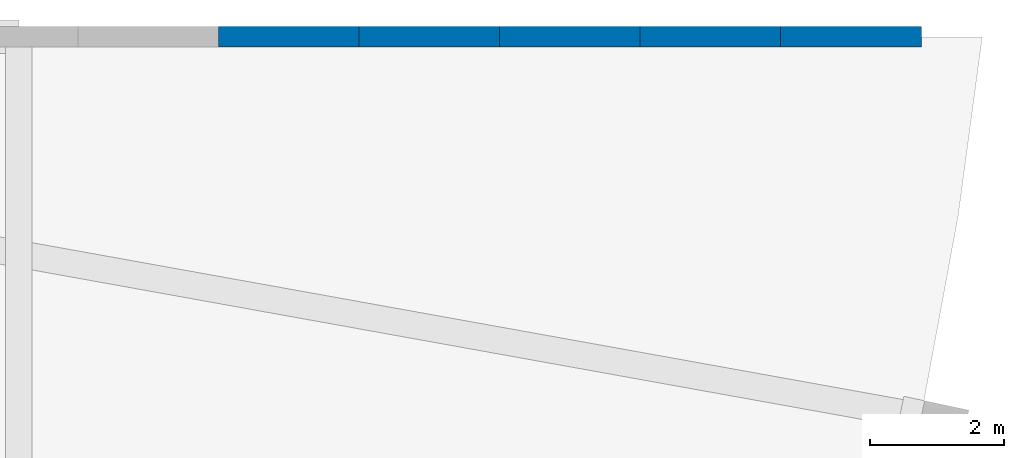
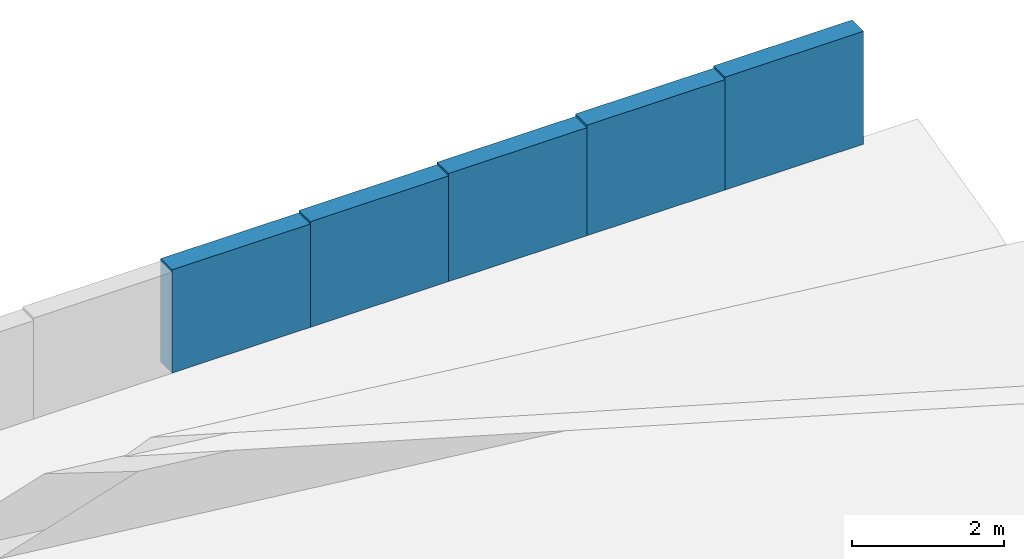
# One storey, part 11 of 11: 5 walls.
"""IFC4 building model written with IfcOpenShell, lengths in metres."""

import ifcopenshell
import ifcopenshell.guid

model = None  # the IFC model being written
_history = None  # IfcOwnerHistory: only IFC2X3 demands one
_inside = {}  # id of a spatial element -> (the spatial element, [elements in it])
_under = {}  # id of a project, library or spatial element -> (it, [spatial elements below it])
_declared = {}  # id of a project -> (the project, [libraries it declares])
_typed = {}  # id of a type object -> (the type object, [elements of that type])
_made_of = {}  # id of a material, layer set ... -> (it, [elements and type objects made of it])


def new_model(schema):
    """Start an empty IFC model of exactly this schema.

    Asked for "IFC4X3", IfcOpenShell would pick the latest addendum, in which some entities
    have other attributes; the version numbers below select the first issue.
    IFC2X3 requires an IfcOwnerHistory on every rooted entity: one is made here for all.
    """
    global model, _history
    if schema == "IFC4X3":
        model = ifcopenshell.file(schema_version=(4, 3, 0, 0))
    else:
        model = ifcopenshell.file(schema=schema)
    _inside.clear()
    _under.clear()
    _declared.clear()
    _typed.clear()
    _made_of.clear()
    _history = None
    if model.schema == "IFC2X3":
        org = make("IfcOrganization", Name="unknown")
        user = make(
            "IfcPersonAndOrganization",
            ThePerson=make("IfcPerson", FamilyName="unknown"),
            TheOrganization=org,
        )
        app = make(
            "IfcApplication",
            ApplicationDeveloper=org,
            Version="unknown",
            ApplicationFullName="unknown",
            ApplicationIdentifier="unknown",
        )
        _history = make(
            "IfcOwnerHistory",
            OwningUser=user,
            OwningApplication=app,
            ChangeAction="ADDED",
            CreationDate=0,
        )
    return model


def make(cls, **values):
    """One entity of the class cls with the attributes given. An attribute that is None is left unset."""
    return model.create_entity(
        cls, **{name: value for name, value in values.items() if value is not None}
    )


def rooted(cls, **values):
    """An entity with a GlobalId (a new one), such as an element, a storey or a relation."""
    return make(cls, GlobalId=ifcopenshell.guid.new(), OwnerHistory=_history, **values)


def si_unit(unit_type, name, prefix=None):
    """IfcSIUnit, for example si_unit("LENGTHUNIT", "METRE", prefix="MILLI")."""
    return make("IfcSIUnit", UnitType=unit_type, Prefix=prefix, Name=name)


def assignment(units):
    """IfcUnitAssignment: the units of a project."""
    return None if units is None else make("IfcUnitAssignment", Units=units)


def point(xyz):
    """IfcCartesianPoint."""
    return None if xyz is None else make("IfcCartesianPoint", Coordinates=xyz)


def direction(xyz):
    """IfcDirection."""
    return None if xyz is None else make("IfcDirection", DirectionRatios=xyz)


def frame(location, z_axis=None, x_axis=None):
    """IfcAxis2Placement3D, a coordinate frame: its origin and axes. An axis left out is left unset."""
    return make(
        "IfcAxis2Placement3D",
        Location=point(location),
        Axis=direction(z_axis),
        RefDirection=direction(x_axis),
    )


def frame_2d(location, x_axis=None):
    """IfcAxis2Placement2D, a coordinate frame in the plane: its origin and x axis."""
    return make(
        "IfcAxis2Placement2D", Location=point(location), RefDirection=direction(x_axis)
    )


def origin():
    """The frame at (0, 0, 0) with its axes left unset."""
    return frame((0.0, 0.0, 0.0))


def place(relative_to, where):
    """IfcLocalPlacement: puts the frame where relative to a parent placement (None: the world)."""
    return make(
        "IfcLocalPlacement", PlacementRelTo=relative_to, RelativePlacement=where
    )


def context(
    kind, dimensions, precision=None, world=None, true_north=None, identifier=None
):
    """IfcGeometricRepresentationContext, for example the 3D "Model" context."""
    return make(
        "IfcGeometricRepresentationContext",
        ContextIdentifier=identifier,
        ContextType=kind,
        CoordinateSpaceDimension=dimensions,
        Precision=precision,
        WorldCoordinateSystem=world,
        TrueNorth=true_north,
    )


def subcontext(parent, identifier, kind, view, scale=None):
    """IfcGeometricRepresentationSubContext, for example "Body" below "Model"."""
    return make(
        "IfcGeometricRepresentationSubContext",
        ContextIdentifier=identifier,
        ContextType=kind,
        ParentContext=parent,
        TargetScale=scale,
        TargetView=view,
    )


def project(units=None, contexts=None):
    """IfcProject with its units and contexts."""
    return rooted(
        "IfcProject",
        Name="project",
        RepresentationContexts=contexts,
        UnitsInContext=assignment(units),
    )


def spatial(cls, under=None, at=None, **own):
    """A site, building, storey or space (cls), placed at a placement, below another one or the project."""
    s = rooted(cls, ObjectPlacement=at, **own)
    if under is not None:
        _under.setdefault(under.id(), (under, []))[1].append(s)
    return s


def profile(cls, at=None, kind="AREA", **sizes):
    """A parametric profile (cls). Its sizes go by their IFC names, for example OverallWidth=200.0."""
    return make(cls, ProfileType=kind, Position=at, **sizes)


def rectangle(**sizes):
    """IfcRectangleProfileDef."""
    return profile("IfcRectangleProfileDef", **sizes)


def extrude(swept, where, along, depth):
    """IfcExtrudedAreaSolid: the profile swept, set in the frame where, extruded along a direction by depth."""
    return make(
        "IfcExtrudedAreaSolid",
        SweptArea=swept,
        Position=where,
        ExtrudedDirection=direction(along),
        Depth=depth,
    )


def shape(context_of_items, identifier, shape_type, items):
    """IfcShapeRepresentation: the items that make up one representation, for example the "Body"."""
    return make(
        "IfcShapeRepresentation",
        ContextOfItems=context_of_items,
        RepresentationIdentifier=identifier,
        RepresentationType=shape_type,
        Items=items,
    )


def material(Name=None, Category=None):
    """IfcMaterial."""
    return make("IfcMaterial", Name=Name, Category=Category)


def layer(
    of_material, thickness, ventilated=None, Name=None, Category=None, Priority=None
):
    """IfcMaterialLayer: one layer of a wall or slab, of a material (None: an air gap)."""
    return make(
        "IfcMaterialLayer",
        Material=of_material,
        LayerThickness=thickness,
        IsVentilated=ventilated,
        Name=Name,
        Category=Category,
        Priority=Priority,
    )


def layer_set(layers, Name=None):
    """IfcMaterialLayerSet."""
    return make("IfcMaterialLayerSet", MaterialLayers=layers, LayerSetName=Name)


def made_of(thing, what):
    """Note that an element or type object is made of a material, layer set ...; save() writes the relation."""
    if what is not None:
        _made_of.setdefault(what.id(), (what, []))[1].append(thing)
    return thing


def type_object(cls, material=None, **own):
    """A type object (cls), such as IfcWallType, which elements share."""
    return made_of(rooted(cls, **own), material)


def element(
    cls,
    number,
    at=None,
    inside=None,
    cuts=None,
    type_object=None,
    material=None,
    context=None,
    identifier="Body",
    shape_type=None,
    held_by="IfcProductDefinitionShape",
    body=None,
    shapes=None,
    **own,
):
    """One element of the class cls, such as IfcWall. Its Tag is "e" and its number.

    at: its placement. inside: the storey or other place that contains it. cuts: it is an
    opening in that element (IfcRelVoidsElement). A single representation is given by context,
    identifier, shape_type and body (its items); several are given by shapes. held_by: the class
    of the entity that holds the representations. save() writes the other relations.
    """
    e = rooted(cls, Tag="e%d" % number, ObjectPlacement=at, **own)
    if body is not None:
        shapes = [shape(context, identifier, shape_type, body)]
    if shapes is not None:
        e.Representation = make(held_by, Representations=shapes)
    if inside is not None:
        _inside.setdefault(inside.id(), (inside, []))[1].append(e)
    if cuts is not None:
        rooted(
            "IfcRelVoidsElement", RelatingBuildingElement=cuts, RelatedOpeningElement=e
        )
    if type_object is not None:
        _typed.setdefault(type_object.id(), (type_object, []))[1].append(e)
    return made_of(e, material)


def aggregate(whole, parts):
    """IfcRelAggregates: a whole, such as a stair, and the parts it consists of."""
    return rooted("IfcRelAggregates", RelatingObject=whole, RelatedObjects=parts)


def save(model, path):
    """Write the relations noted so far, then the file.

    IfcRelAggregates (storeys below a building ...), IfcRelContainedInSpatialStructure (elements
    in a storey), IfcRelDefinesByType, IfcRelAssociatesMaterial and IfcRelDeclares: one each for
    every whole, place, type object, material and project.
    """
    for whole, parts in _under.values():
        aggregate(whole, parts)
    for where, things in _inside.values():
        rooted(
            "IfcRelContainedInSpatialStructure",
            RelatedElements=things,
            RelatingStructure=where,
        )
    for kind, things in _typed.values():
        rooted("IfcRelDefinesByType", RelatedObjects=things, RelatingType=kind)
    for what, things in _made_of.values():
        rooted("IfcRelAssociatesMaterial", RelatedObjects=things, RelatingMaterial=what)
    for by, libraries in _declared.values():
        rooted("IfcRelDeclares", RelatingContext=by, RelatedDefinitions=libraries)
    model.write(path)


model = new_model("IFC4")

# Units and contexts
model_context = context("Model", 3, precision=1e-05, world=origin(), true_north=direction((0.0, 1.0)))
body_context = subcontext(model_context, "Body", "Model", "MODEL_VIEW")
ifc_project = project(units=[si_unit("LENGTHUNIT", "METRE"), si_unit("AREAUNIT", "SQUARE_METRE"), si_unit("VOLUMEUNIT", "CUBIC_METRE"), si_unit("PLANEANGLEUNIT", "RADIAN"), si_unit("MASSUNIT", "GRAM", prefix="KILO")], contexts=[model_context])

# Site, building, storey
site_placement = place(None, origin())
site = spatial("IfcSite", under=ifc_project, at=site_placement, CompositionType="ELEMENT")
building_placement = place(site_placement, origin())
building = spatial("IfcBuilding", under=site, at=building_placement, Name="Chiffa Square Polytechnic", CompositionType="ELEMENT")
storey_placement = place(building_placement, frame((0.0, 0.0, 30.60009765625)))
storey = spatial("IfcBuildingStorey", under=building, at=storey_placement, Name="ROOF", CompositionType="ELEMENT", Elevation=30.60009765625)

# Walls
ifc_material = material(Name="Precast concrete C40/50", Category="concrete")
ifc_layer = layer(ifc_material, 0.300048828125, Name="Precast concrete C40/50")
ifc_layer_set = layer_set([ifc_layer], Name="Precast concrete C40/50")
wall_type = type_object("IfcWallType", Name="WL-EXT-PC300", PredefinedType="SOLIDWALL", material=ifc_layer_set)
wall_1_placement = place(storey_placement, frame((169.178955078125, 51.0, -0.75), z_axis=(0.0, 0.0, 1.0), x_axis=(1.0, 0.0, 0.0)))
element("IfcWall", 1, at=wall_1_placement, inside=storey, type_object=wall_type, Name="Stepped gable infill wall WE-V1-ROOF-CHEEK-N-11", PredefinedType="SOLIDWALL", context=body_context, shape_type="SweptSolid", body=[
    extrude(rectangle(XDim=2.09814453125, YDim=0.300048828125, at=frame_2d((1.049072265625, 0.0))), origin(), (0.0, 0.0, 1.0), 1.656982421875),
])
wall_2_placement = place(storey_placement, frame((171.277099609375, 51.0, -0.75), z_axis=(0.0, 0.0, 1.0), x_axis=(1.0, 0.0, 0.0)))
element("IfcWall", 2, at=wall_2_placement, inside=storey, type_object=wall_type, Name="Stepped gable infill wall WE-V1-ROOF-CHEEK-N-12", PredefinedType="SOLIDWALL", context=body_context, shape_type="SweptSolid", body=[
    extrude(rectangle(XDim=2.097900390625, YDim=0.300048828125, at=frame_2d((1.048828125, 0.0))), origin(), (0.0, 0.0, 1.0), 1.69482421875),
])
wall_3_placement = place(storey_placement, frame((173.375, 51.0, -0.75), z_axis=(0.0, 0.0, 1.0), x_axis=(1.0, 0.0, 0.0)))
element("IfcWall", 3, at=wall_3_placement, inside=storey, type_object=wall_type, Name="Stepped gable infill wall WE-V1-ROOF-CHEEK-N-13", PredefinedType="SOLIDWALL", context=body_context, shape_type="SweptSolid", body=[
    extrude(rectangle(XDim=2.097900390625, YDim=0.300048828125, at=frame_2d((1.048828125, 0.0))), origin(), (0.0, 0.0, 1.0), 1.73388671875),
])
wall_4_placement = place(storey_placement, frame((175.472900390625, 51.0, -0.75), z_axis=(0.0, 0.0, 1.0), x_axis=(1.0, 0.0, 0.0)))
element("IfcWall", 4, at=wall_4_placement, inside=storey, type_object=wall_type, Name="Stepped gable infill wall WE-V1-ROOF-CHEEK-N-14", PredefinedType="SOLIDWALL", context=body_context, shape_type="SweptSolid", body=[
    extrude(rectangle(XDim=2.09814453125, YDim=0.300048828125, at=frame_2d((1.049072265625, 0.0))), origin(), (0.0, 0.0, 1.0), 1.77294921875),
])
wall_5_placement = place(storey_placement, frame((177.571044921875, 51.0, -0.75), z_axis=(0.0, 0.0, 1.0), x_axis=(1.0, 0.0, 0.0)))
element("IfcWall", 5, at=wall_5_placement, inside=storey, type_object=wall_type, Name="Stepped gable infill wall WE-V1-ROOF-CHEEK-N-15", PredefinedType="SOLIDWALL", context=body_context, shape_type="SweptSolid", body=[
    extrude(rectangle(XDim=2.097900390625, YDim=0.300048828125, at=frame_2d((1.048828125, 0.0))), origin(), (0.0, 0.0, 1.0), 1.810791015625),
])

save(model, "model.ifc")
